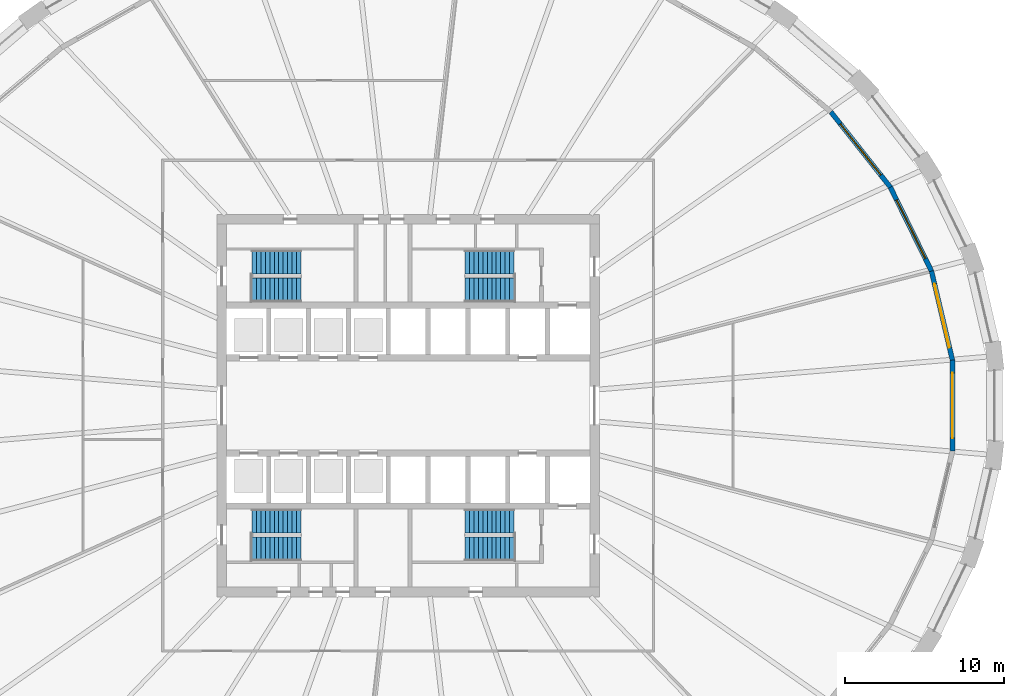
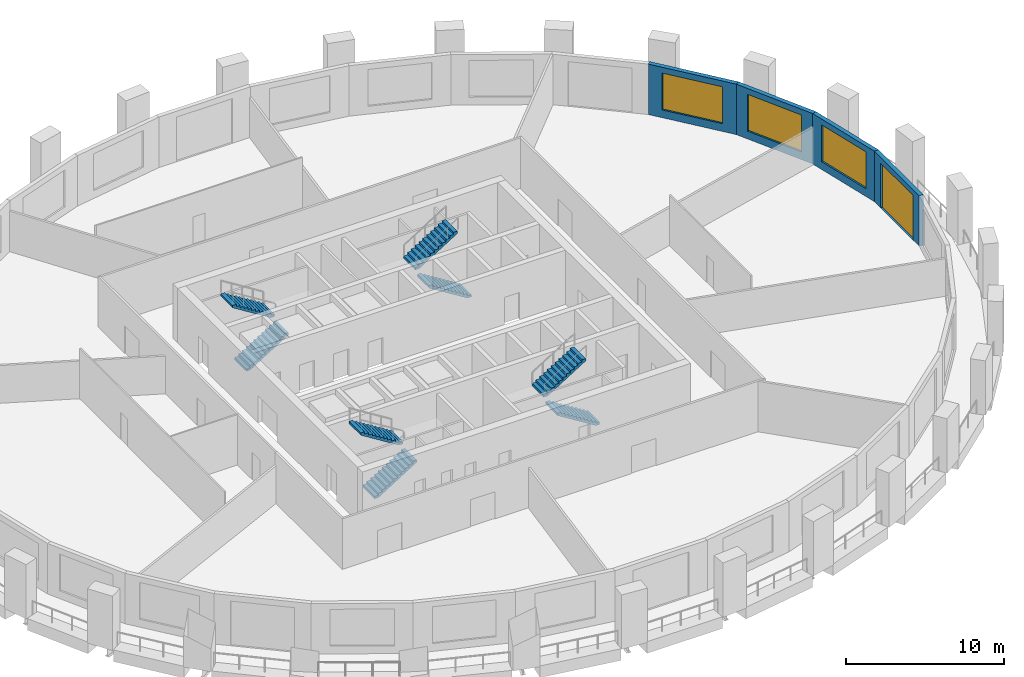
# One storey, part 7 of 10: 8 stair flights, 4 walls, 3 windows, 1 door, 4 openings, 4 elements without a shape of their own.
"""IFC4 building model written with IfcOpenShell, lengths in metres."""

from ifc_helpers import new_model, si_unit, direction, frame, frame_2d, origin, place, context, subcontext, project, spatial, polyline, rectangle, outline, extrude, material, layer, layer_set, type_object, element, fill, aggregate, save


model = new_model("IFC4")

# Units and contexts
model_context = context("Model", 3, precision=1e-05, world=origin(), true_north=direction((0.0, 1.0)))
body_context = subcontext(model_context, "Body", "Model", "MODEL_VIEW")
ifc_project = project(units=[si_unit("LENGTHUNIT", "METRE"), si_unit("AREAUNIT", "SQUARE_METRE"), si_unit("VOLUMEUNIT", "CUBIC_METRE"), si_unit("PLANEANGLEUNIT", "RADIAN"), si_unit("MASSUNIT", "GRAM", prefix="KILO")], contexts=[model_context])

# Site, building, storey
site_placement = place(None, origin())
site = spatial("IfcSite", under=ifc_project, at=site_placement, CompositionType="ELEMENT")
building_placement = place(site_placement, origin())
building = spatial("IfcBuilding", under=site, at=building_placement, Name="Halqa Exchange Tower", CompositionType="ELEMENT")
storey_placement = place(building_placement, frame((0.0, 0.0, 61.300048828125)))
storey = spatial("IfcBuildingStorey", under=building, at=storey_placement, Name="L13", CompositionType="ELEMENT", Elevation=61.300048828125)

# Wall, opening, window
ifc_material_1 = material(Name="Limestone cladding", Category="masonry")
ifc_layer_1 = layer(ifc_material_1, 0.0400390625)
ifc_material_2 = material(Name="Ventilated cavity")
ifc_layer_2 = layer(ifc_material_2, 0.030029296875, ventilated=True)
ifc_material_3 = material(Name="Mineral wool insulation")
ifc_layer_3 = layer(ifc_material_3, 0.10009765625)
ifc_material_4 = material(Name="Concrete C30/37", Category="concrete")
ifc_layer_4 = layer(ifc_material_4, 0.10009765625)
ifc_material_5 = material(Name="Internal plaster")
ifc_layer_5 = layer(ifc_material_5, 0.030029296875)
ifc_layer_set = layer_set([ifc_layer_1, ifc_layer_2, ifc_layer_3, ifc_layer_4, ifc_layer_5], Name="Stone-faced insulated wall 300")
wall_type = type_object("IfcWallType", Name="Stone-faced insulated wall 300", PredefinedType="STANDARD", material=ifc_layer_set)
wall_1_placement = place(storey_placement, frame((34.1591796875, 2.849365234375, 0.0), z_axis=(0.0, 0.0, 1.0), x_axis=(-0.22905355604, 0.973413821797, 0.0)))
wall_1 = element("IfcWall", 1, at=wall_1_placement, inside=storey, type_object=wall_type, Name="Glass-line wall 1", PredefinedType="STANDARD", context=body_context, shape_type="SweptSolid", body=[
    extrude(outline(polyline([(-0.017333984375, -0.14990234375), (5.757568359375, -0.14990234375), (5.723876953125, 0.14990234375), (0.017333984375, 0.14990234375), (-0.017333984375, -0.14990234375)])), origin(), (0.0, 0.0, 1.0), 3.89990234375),
])
opening_1_placement = place(wall_1_placement, frame((0.8203125, 0.0, 0.60009765625)))
opening_1 = element("IfcOpeningElement", 2, at=opening_1_placement, cuts=wall_1, Name="Opening W-F1-01", PredefinedType="OPENING", context=body_context, shape_type="SweptSolid", body=[
    extrude(rectangle(XDim=4.10009765625, YDim=2.85009765625, at=frame_2d((2.050048828125, 1.425048828125))), frame((0.0, 0.162109375, 0.0), z_axis=(0.0, -1.0, 0.0), x_axis=(1.0, 0.0, 0.0)), (0.0, 0.0, 1.0), 0.323974609375),
])
ifc_material_6 = material(Name="Clear low-emissivity glass in aluminium frame", Category="aluminium")
window_type = type_object("IfcWindowType", Name="Fixed clear glazed window 4100 x 2850", PartitioningType="TRIPLE_PANEL_VERTICAL", PredefinedType="WINDOW", material=ifc_material_6)
window_1_placement = place(opening_1_placement, origin())
window_1 = element("IfcWindow", 3, at=window_1_placement, inside=storey, type_object=window_type, Name="Window 1", OverallHeight=2.85009765625, OverallWidth=4.10009765625, PartitioningType="TRIPLE_PANEL_VERTICAL", PredefinedType="WINDOW", context=body_context, shape_type="SweptSolid", body=[
    extrude(rectangle(XDim=4.10009765625, YDim=2.85009765625, at=frame_2d((2.050048828125, 1.425048828125))), frame((0.0, 0.030029296875, 0.0), z_axis=(0.0, -1.0, 0.0), x_axis=(1.0, 0.0, 0.0)), (0.0, 0.0, 1.0), 0.06005859375),
])
fill(opening_1, window_1)

wall_2_placement = place(storey_placement, frame((32.84423828125, 8.4375, 0.0), z_axis=(0.0, 0.0, 1.0), x_axis=(-0.439949735177, 0.898022399786, 0.0)))
wall_2 = element("IfcWall", 4, at=wall_2_placement, inside=storey, type_object=wall_type, Name="Glass-line wall 2", PredefinedType="STANDARD", context=body_context, shape_type="SweptSolid", body=[
    extrude(outline(polyline([(-0.016845703125, -0.14990234375), (5.876220703125, -0.14990234375), (5.843994140625, 0.14990234375), (0.016845703125, 0.14990234375), (-0.016845703125, -0.14990234375)])), origin(), (0.0, 0.0, 1.0), 3.89990234375),
])
opening_2_placement = place(wall_2_placement, frame((0.8798828125, 0.0, 0.60009765625)))
opening_2 = element("IfcOpeningElement", 5, at=opening_2_placement, cuts=wall_2, Name="Opening W-F1-02", PredefinedType="OPENING", context=body_context, shape_type="SweptSolid", body=[
    extrude(rectangle(XDim=4.10009765625, YDim=2.85009765625, at=frame_2d((2.050048828125, 1.425048828125))), frame((0.0, 0.162109375, 0.0), z_axis=(0.0, -1.0, 0.0), x_axis=(1.0, 0.0, 0.0)), (0.0, 0.0, 1.0), 0.323974609375),
])
window_2_placement = place(opening_2_placement, origin())
window_2 = element("IfcWindow", 6, at=window_2_placement, inside=storey, type_object=window_type, Name="Window 1", OverallHeight=2.85009765625, OverallWidth=4.10009765625, PartitioningType="TRIPLE_PANEL_VERTICAL", PredefinedType="WINDOW", context=body_context, shape_type="SweptSolid", body=[
    extrude(rectangle(XDim=4.10009765625, YDim=2.85009765625, at=frame_2d((2.050048828125, 1.425048828125))), frame((0.0, 0.030029296875, 0.0), z_axis=(0.0, -1.0, 0.0), x_axis=(1.0, 0.0, 0.0)), (0.0, 0.0, 1.0), 0.06005859375),
])
fill(opening_2, window_2)

wall_3_placement = place(storey_placement, frame((30.26611328125, 13.699951171875, 0.0), z_axis=(0.0, 0.0, 1.0), x_axis=(-0.620065339223, 0.784550173727, 0.0)))
wall_3 = element("IfcWall", 7, at=wall_3_placement, inside=storey, type_object=wall_type, Name="Glass-line wall 3", PredefinedType="STANDARD", context=body_context, shape_type="SweptSolid", body=[
    extrude(outline(polyline([(-0.01611328125, -0.14990234375), (6.048828125, -0.14990234375), (6.0185546875, 0.14990234375), (0.01611328125, 0.14990234375), (-0.01611328125, -0.14990234375)])), origin(), (0.0, 0.0, 1.0), 3.89990234375),
])
opening_3_placement = place(wall_3_placement, frame((0.966796875, 0.0, 0.60009765625)))
opening_3 = element("IfcOpeningElement", 8, at=opening_3_placement, cuts=wall_3, Name="Opening W-F1-03", PredefinedType="OPENING", context=body_context, shape_type="SweptSolid", body=[
    extrude(rectangle(XDim=4.10009765625, YDim=2.85009765625, at=frame_2d((2.050048828125, 1.425048828125))), frame((0.0, 0.162109375, 0.0), z_axis=(0.0, -1.0, 0.0), x_axis=(1.0, 0.0, 0.0)), (0.0, 0.0, 1.0), 0.323974609375),
])
window_3_placement = place(opening_3_placement, origin())
window_3 = element("IfcWindow", 9, at=window_3_placement, inside=storey, type_object=window_type, Name="Window 1", OverallHeight=2.85009765625, OverallWidth=4.10009765625, PartitioningType="TRIPLE_PANEL_VERTICAL", PredefinedType="WINDOW", context=body_context, shape_type="SweptSolid", body=[
    extrude(rectangle(XDim=4.10009765625, YDim=2.85009765625, at=frame_2d((2.050048828125, 1.425048828125))), frame((0.0, 0.030029296875, 0.0), z_axis=(0.0, -1.0, 0.0), x_axis=(1.0, 0.0, 0.0)), (0.0, 0.0, 1.0), 0.06005859375),
])
fill(opening_3, window_3)

# Wall, opening, door
wall_4_placement = place(storey_placement, frame((34.1591796875, -2.849365234375, 0.0), z_axis=(0.0, 0.0, 1.0), x_axis=(0.0, 1.0, 0.0)))
wall_4 = element("IfcWall", 10, at=wall_4_placement, inside=storey, type_object=wall_type, Name="Glass-line wall 32", PredefinedType="STANDARD", context=body_context, shape_type="SweptSolid", body=[
    extrude(outline(polyline([(-0.017333984375, -0.14990234375), (5.716064453125, -0.14990234375), (5.681396484375, 0.14990234375), (0.017333984375, 0.14990234375), (-0.017333984375, -0.14990234375)])), origin(), (0.0, 0.0, 1.0), 3.89990234375),
])
opening_4_placement = place(wall_4_placement, frame((0.79931640625, 0.0, 0.0)))
opening_4 = element("IfcOpeningElement", 11, at=opening_4_placement, cuts=wall_4, Name="Opening LG-F1-08", PredefinedType="OPENING", context=body_context, shape_type="SweptSolid", body=[
    extrude(rectangle(XDim=4.10009765625, YDim=3.449951171875, at=frame_2d((2.050048828125, 1.72509765625))), frame((0.0, 0.162109375, 0.0), z_axis=(0.0, -1.0, 0.0), x_axis=(1.0, 0.0, 0.0)), (0.0, 0.0, 1.0), 0.323974609375),
])
door_type = type_object("IfcDoorType", Name="Glazed sliding loggia door 4100 x 3450", OperationType="DOUBLE_DOOR_SLIDING", PredefinedType="DOOR", material=ifc_material_6)
door_placement = place(opening_4_placement, origin())
door = element("IfcDoor", 12, at=door_placement, inside=storey, type_object=door_type, Name="Loggia door 8", OperationType="DOUBLE_DOOR_SLIDING", OverallHeight=3.449951171875, OverallWidth=4.10009765625, PredefinedType="DOOR", context=body_context, shape_type="SweptSolid", body=[
    extrude(rectangle(XDim=4.10009765625, YDim=3.449951171875, at=frame_2d((2.050048828125, 1.72509765625))), frame((0.0, 0.02490234375, 0.0), z_axis=(0.0, -1.0, 0.0), x_axis=(1.0, 0.0, 0.0)), (0.0, 0.0, 1.0), 0.050048828125),
])
fill(opening_4, door)

# Stair, stair flights
stair_type = type_object("IfcStairType", Name="Exit stair 1500 wide", PredefinedType="HALF_TURN_STAIR", material=ifc_material_4)
stair_1_placement = place(storey_placement, origin())
stair_1 = element("IfcStair", 13, at=stair_1_placement, inside=storey, type_object=stair_type, Name="Exit stair ST1", PredefinedType="HALF_TURN_STAIR")
stair_flight_type = type_object("IfcStairFlightType", Name="Stair flight 1500 wide", PredefinedType="STRAIGHT", material=ifc_material_4)
stair_flight_1_placement = place(storey_placement, frame((-9.800048828125, 7.25, 0.0), z_axis=(0.0, 0.0, 1.0), x_axis=(1.0, 0.0, 0.0)))
stair_flight_1 = element("IfcStairFlight", 14, at=stair_flight_1_placement, type_object=stair_flight_type, Name="ST1 flight 1", NumberOfRisers=12, NumberOfTreads=11, PredefinedType="STRAIGHT", RiserHeight=0.175, TreadLength=0.28, context=body_context, shape_type="SweptSolid", body=[
    extrude(outline(polyline([(0.0, 0.0), (0.0, 0.175048828125), (0.280029296875, 0.175048828125), (0.280029296875, 0.35009765625), (0.56005859375, 0.35009765625), (0.56005859375, 0.52490234375), (0.840087890625, 0.52490234375), (0.840087890625, 0.699951171875), (1.1201171875, 0.699951171875), (1.1201171875, 0.875), (1.39990234375, 0.875), (1.39990234375, 1.050048828125), (1.679931640625, 1.050048828125), (1.679931640625, 1.22509765625), (1.9599609375, 1.22509765625), (1.9599609375, 1.39990234375), (2.239990234375, 1.39990234375), (2.239990234375, 1.574951171875), (2.52001953125, 1.574951171875), (2.52001953125, 1.75), (2.800048828125, 1.75), (2.800048828125, 1.925048828125), (3.080078125, 1.925048828125), (3.080078125, 2.10009765625), (3.080078125, 1.748291015625), (0.28271484375, 0.0), (0.0, 0.0)])), frame((0.0, 0.75, 0.0), z_axis=(0.0, -1.0, 0.0), x_axis=(1.0, 0.0, 0.0)), (0.0, 0.0, 1.0), 1.5),
])
stair_flight_2_placement = place(storey_placement, frame((-6.719970703125, 9.0, 2.099853515625), z_axis=(0.0, 0.0, 1.0), x_axis=(-1.0, 0.0, 0.0)))
stair_flight_2 = element("IfcStairFlight", 15, at=stair_flight_2_placement, type_object=stair_flight_type, Name="ST1 flight 2", NumberOfRisers=12, NumberOfTreads=11, PredefinedType="STRAIGHT", RiserHeight=0.175, TreadLength=0.28, context=body_context, shape_type="SweptSolid", body=[
    extrude(outline(polyline([(0.0, 0.0), (0.0, 0.175048828125), (0.280029296875, 0.175048828125), (0.280029296875, 0.35009765625), (0.56005859375, 0.35009765625), (0.56005859375, 0.52490234375), (0.840087890625, 0.52490234375), (0.840087890625, 0.699951171875), (1.1201171875, 0.699951171875), (1.1201171875, 0.875), (1.39990234375, 0.875), (1.39990234375, 1.050048828125), (1.679931640625, 1.050048828125), (1.679931640625, 1.22509765625), (1.9599609375, 1.22509765625), (1.9599609375, 1.39990234375), (2.239990234375, 1.39990234375), (2.239990234375, 1.574951171875), (2.52001953125, 1.574951171875), (2.52001953125, 1.75), (2.800048828125, 1.75), (2.800048828125, 1.925048828125), (3.080078125, 1.925048828125), (3.080078125, 2.10009765625), (3.080078125, 1.748291015625), (0.28271484375, 0.0), (0.0, 0.0)])), frame((0.0, 0.75, 0.0), z_axis=(0.0, -1.0, 0.0), x_axis=(1.0, 0.0, 0.0)), (0.0, 0.0, 1.0), 1.5),
])
aggregate(stair_1, [stair_flight_1, stair_flight_2])

stair_2_placement = place(storey_placement, origin())
stair_2 = element("IfcStair", 16, at=stair_2_placement, inside=storey, type_object=stair_type, Name="Exit stair ST2", PredefinedType="HALF_TURN_STAIR")
stair_flight_3_placement = place(storey_placement, frame((6.64990234375, 7.25, 0.0), z_axis=(0.0, 0.0, 1.0), x_axis=(-1.0, 0.0, 0.0)))
stair_flight_3 = element("IfcStairFlight", 17, at=stair_flight_3_placement, type_object=stair_flight_type, Name="ST2 flight 1", NumberOfRisers=12, NumberOfTreads=11, PredefinedType="STRAIGHT", RiserHeight=0.175, TreadLength=0.28, context=body_context, shape_type="SweptSolid", body=[
    extrude(outline(polyline([(0.0, 0.0), (0.0, 0.175048828125), (0.280029296875, 0.175048828125), (0.280029296875, 0.35009765625), (0.56005859375, 0.35009765625), (0.56005859375, 0.52490234375), (0.840087890625, 0.52490234375), (0.840087890625, 0.699951171875), (1.1201171875, 0.699951171875), (1.1201171875, 0.875), (1.39990234375, 0.875), (1.39990234375, 1.050048828125), (1.679931640625, 1.050048828125), (1.679931640625, 1.22509765625), (1.9599609375, 1.22509765625), (1.9599609375, 1.39990234375), (2.239990234375, 1.39990234375), (2.239990234375, 1.574951171875), (2.52001953125, 1.574951171875), (2.52001953125, 1.75), (2.800048828125, 1.75), (2.800048828125, 1.925048828125), (3.080078125, 1.925048828125), (3.080078125, 2.10009765625), (3.080078125, 1.748291015625), (0.28271484375, 0.0), (0.0, 0.0)])), frame((0.0, 0.75, 0.0), z_axis=(0.0, -1.0, 0.0), x_axis=(1.0, 0.0, 0.0)), (0.0, 0.0, 1.0), 1.5),
])
stair_flight_4_placement = place(storey_placement, frame((3.570068359375, 9.0, 2.099853515625), z_axis=(0.0, 0.0, 1.0), x_axis=(1.0, 0.0, 0.0)))
stair_flight_4 = element("IfcStairFlight", 18, at=stair_flight_4_placement, type_object=stair_flight_type, Name="ST2 flight 2", NumberOfRisers=12, NumberOfTreads=11, PredefinedType="STRAIGHT", RiserHeight=0.175, TreadLength=0.28, context=body_context, shape_type="SweptSolid", body=[
    extrude(outline(polyline([(0.0, 0.0), (0.0, 0.175048828125), (0.280029296875, 0.175048828125), (0.280029296875, 0.35009765625), (0.56005859375, 0.35009765625), (0.56005859375, 0.52490234375), (0.840087890625, 0.52490234375), (0.840087890625, 0.699951171875), (1.1201171875, 0.699951171875), (1.1201171875, 0.875), (1.39990234375, 0.875), (1.39990234375, 1.050048828125), (1.679931640625, 1.050048828125), (1.679931640625, 1.22509765625), (1.9599609375, 1.22509765625), (1.9599609375, 1.39990234375), (2.239990234375, 1.39990234375), (2.239990234375, 1.574951171875), (2.52001953125, 1.574951171875), (2.52001953125, 1.75), (2.800048828125, 1.75), (2.800048828125, 1.925048828125), (3.080078125, 1.925048828125), (3.080078125, 2.10009765625), (3.080078125, 1.748291015625), (0.28271484375, 0.0), (0.0, 0.0)])), frame((0.0, 0.75, 0.0), z_axis=(0.0, -1.0, 0.0), x_axis=(1.0, 0.0, 0.0)), (0.0, 0.0, 1.0), 1.5),
])
aggregate(stair_2, [stair_flight_3, stair_flight_4])

stair_3_placement = place(storey_placement, origin())
stair_3 = element("IfcStair", 19, at=stair_3_placement, inside=storey, type_object=stair_type, Name="Exit stair ST3", PredefinedType="HALF_TURN_STAIR")
stair_flight_5_placement = place(storey_placement, frame((-9.800048828125, -9.0, 0.0), z_axis=(0.0, 0.0, 1.0), x_axis=(1.0, 0.0, 0.0)))
stair_flight_5 = element("IfcStairFlight", 20, at=stair_flight_5_placement, type_object=stair_flight_type, Name="ST3 flight 1", NumberOfRisers=12, NumberOfTreads=11, PredefinedType="STRAIGHT", RiserHeight=0.175, TreadLength=0.28, context=body_context, shape_type="SweptSolid", body=[
    extrude(outline(polyline([(0.0, 0.0), (0.0, 0.175048828125), (0.280029296875, 0.175048828125), (0.280029296875, 0.35009765625), (0.56005859375, 0.35009765625), (0.56005859375, 0.52490234375), (0.840087890625, 0.52490234375), (0.840087890625, 0.699951171875), (1.1201171875, 0.699951171875), (1.1201171875, 0.875), (1.39990234375, 0.875), (1.39990234375, 1.050048828125), (1.679931640625, 1.050048828125), (1.679931640625, 1.22509765625), (1.9599609375, 1.22509765625), (1.9599609375, 1.39990234375), (2.239990234375, 1.39990234375), (2.239990234375, 1.574951171875), (2.52001953125, 1.574951171875), (2.52001953125, 1.75), (2.800048828125, 1.75), (2.800048828125, 1.925048828125), (3.080078125, 1.925048828125), (3.080078125, 2.10009765625), (3.080078125, 1.748291015625), (0.28271484375, 0.0), (0.0, 0.0)])), frame((0.0, 0.75, 0.0), z_axis=(0.0, -1.0, 0.0), x_axis=(1.0, 0.0, 0.0)), (0.0, 0.0, 1.0), 1.5),
])
stair_flight_6_placement = place(storey_placement, frame((-6.719970703125, -7.25, 2.099853515625), z_axis=(0.0, 0.0, 1.0), x_axis=(-1.0, 0.0, 0.0)))
stair_flight_6 = element("IfcStairFlight", 21, at=stair_flight_6_placement, type_object=stair_flight_type, Name="ST3 flight 2", NumberOfRisers=12, NumberOfTreads=11, PredefinedType="STRAIGHT", RiserHeight=0.175, TreadLength=0.28, context=body_context, shape_type="SweptSolid", body=[
    extrude(outline(polyline([(0.0, 0.0), (0.0, 0.175048828125), (0.280029296875, 0.175048828125), (0.280029296875, 0.35009765625), (0.56005859375, 0.35009765625), (0.56005859375, 0.52490234375), (0.840087890625, 0.52490234375), (0.840087890625, 0.699951171875), (1.1201171875, 0.699951171875), (1.1201171875, 0.875), (1.39990234375, 0.875), (1.39990234375, 1.050048828125), (1.679931640625, 1.050048828125), (1.679931640625, 1.22509765625), (1.9599609375, 1.22509765625), (1.9599609375, 1.39990234375), (2.239990234375, 1.39990234375), (2.239990234375, 1.574951171875), (2.52001953125, 1.574951171875), (2.52001953125, 1.75), (2.800048828125, 1.75), (2.800048828125, 1.925048828125), (3.080078125, 1.925048828125), (3.080078125, 2.10009765625), (3.080078125, 1.748291015625), (0.28271484375, 0.0), (0.0, 0.0)])), frame((0.0, 0.75, 0.0), z_axis=(0.0, -1.0, 0.0), x_axis=(1.0, 0.0, 0.0)), (0.0, 0.0, 1.0), 1.5),
])
aggregate(stair_3, [stair_flight_5, stair_flight_6])

stair_4_placement = place(storey_placement, origin())
stair_4 = element("IfcStair", 22, at=stair_4_placement, inside=storey, type_object=stair_type, Name="Exit stair ST4", PredefinedType="HALF_TURN_STAIR")
stair_flight_7_placement = place(storey_placement, frame((6.64990234375, -9.0, 0.0), z_axis=(0.0, 0.0, 1.0), x_axis=(-1.0, 0.0, 0.0)))
stair_flight_7 = element("IfcStairFlight", 23, at=stair_flight_7_placement, type_object=stair_flight_type, Name="ST4 flight 1", NumberOfRisers=12, NumberOfTreads=11, PredefinedType="STRAIGHT", RiserHeight=0.175, TreadLength=0.28, context=body_context, shape_type="SweptSolid", body=[
    extrude(outline(polyline([(0.0, 0.0), (0.0, 0.175048828125), (0.280029296875, 0.175048828125), (0.280029296875, 0.35009765625), (0.56005859375, 0.35009765625), (0.56005859375, 0.52490234375), (0.840087890625, 0.52490234375), (0.840087890625, 0.699951171875), (1.1201171875, 0.699951171875), (1.1201171875, 0.875), (1.39990234375, 0.875), (1.39990234375, 1.050048828125), (1.679931640625, 1.050048828125), (1.679931640625, 1.22509765625), (1.9599609375, 1.22509765625), (1.9599609375, 1.39990234375), (2.239990234375, 1.39990234375), (2.239990234375, 1.574951171875), (2.52001953125, 1.574951171875), (2.52001953125, 1.75), (2.800048828125, 1.75), (2.800048828125, 1.925048828125), (3.080078125, 1.925048828125), (3.080078125, 2.10009765625), (3.080078125, 1.748291015625), (0.28271484375, 0.0), (0.0, 0.0)])), frame((0.0, 0.75, 0.0), z_axis=(0.0, -1.0, 0.0), x_axis=(1.0, 0.0, 0.0)), (0.0, 0.0, 1.0), 1.5),
])
stair_flight_8_placement = place(storey_placement, frame((3.570068359375, -7.25, 2.099853515625), z_axis=(0.0, 0.0, 1.0), x_axis=(1.0, 0.0, 0.0)))
stair_flight_8 = element("IfcStairFlight", 24, at=stair_flight_8_placement, type_object=stair_flight_type, Name="ST4 flight 2", NumberOfRisers=12, NumberOfTreads=11, PredefinedType="STRAIGHT", RiserHeight=0.175, TreadLength=0.28, context=body_context, shape_type="SweptSolid", body=[
    extrude(outline(polyline([(0.0, 0.0), (0.0, 0.175048828125), (0.280029296875, 0.175048828125), (0.280029296875, 0.35009765625), (0.56005859375, 0.35009765625), (0.56005859375, 0.52490234375), (0.840087890625, 0.52490234375), (0.840087890625, 0.699951171875), (1.1201171875, 0.699951171875), (1.1201171875, 0.875), (1.39990234375, 0.875), (1.39990234375, 1.050048828125), (1.679931640625, 1.050048828125), (1.679931640625, 1.22509765625), (1.9599609375, 1.22509765625), (1.9599609375, 1.39990234375), (2.239990234375, 1.39990234375), (2.239990234375, 1.574951171875), (2.52001953125, 1.574951171875), (2.52001953125, 1.75), (2.800048828125, 1.75), (2.800048828125, 1.925048828125), (3.080078125, 1.925048828125), (3.080078125, 2.10009765625), (3.080078125, 1.748291015625), (0.28271484375, 0.0), (0.0, 0.0)])), frame((0.0, 0.75, 0.0), z_axis=(0.0, -1.0, 0.0), x_axis=(1.0, 0.0, 0.0)), (0.0, 0.0, 1.0), 1.5),
])
aggregate(stair_4, [stair_flight_7, stair_flight_8])

save(model, "model.ifc")
